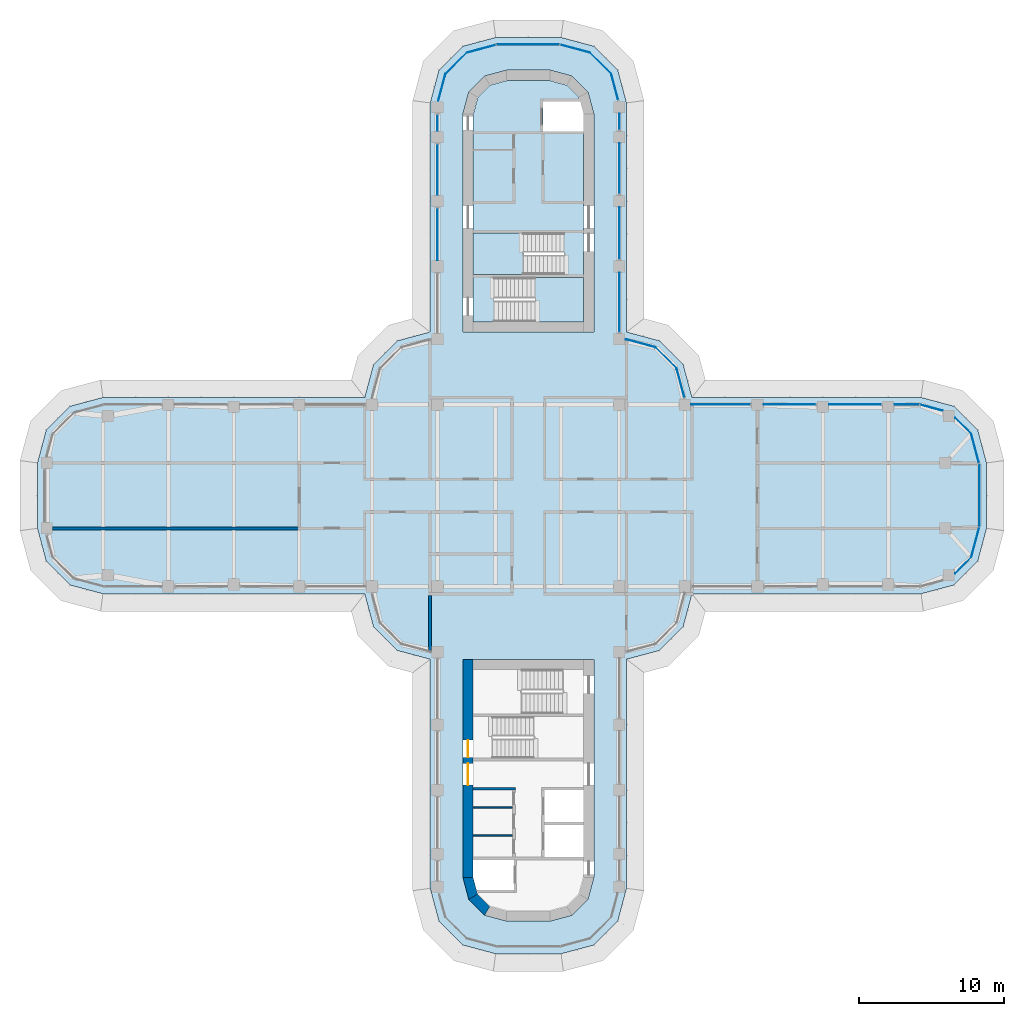
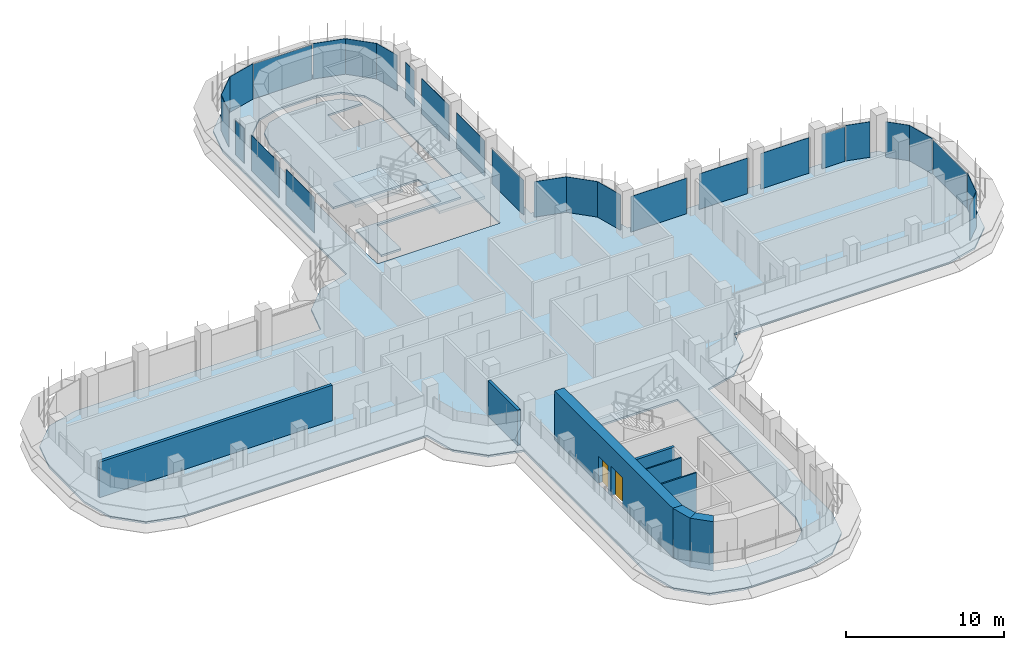
# One storey, part 12 of 19: 27 plates, 8 walls, 4 slabs, 2 doors, 2 openings, 21 elements without a shape of their own.
"""IFC4 building model written with IfcOpenShell, lengths in metres."""

from ifc_helpers import new_model, si_unit, direction, frame, frame_2d, origin, place, context, subcontext, project, spatial, polyline, rectangle, outline, extrude, source, transform, mapped, material, layer, layer_set, type_object, element, fill, aggregate, save


model = new_model("IFC4")

# Units and contexts
model_context = context("Model", 3, precision=1e-05, world=origin(), true_north=direction((0.0, 1.0)))
body_context = subcontext(model_context, "Body", "Model", "MODEL_VIEW")
ifc_project = project(units=[si_unit("LENGTHUNIT", "METRE"), si_unit("AREAUNIT", "SQUARE_METRE"), si_unit("VOLUMEUNIT", "CUBIC_METRE"), si_unit("PLANEANGLEUNIT", "RADIAN"), si_unit("MASSUNIT", "GRAM", prefix="KILO")], contexts=[model_context])

# Site, building, storey
site_placement = place(None, origin())
site = spatial("IfcSite", under=ifc_project, at=site_placement, CompositionType="ELEMENT")
building_placement = place(site_placement, origin())
building = spatial("IfcBuilding", under=site, at=building_placement, Name="Zarbagh Exchange Tower", CompositionType="ELEMENT")
storey_placement = place(building_placement, frame((0.0, 0.0, 171.39990234375)))
storey = spatial("IfcBuildingStorey", under=building, at=storey_placement, Name="L41", CompositionType="ELEMENT", Elevation=171.39990234375)

# Slabs
ifc_material_1 = material(Name="Concrete C40/50", Category="concrete")
ifc_layer_1 = layer(ifc_material_1, 0.14990234375)
ifc_layer_set_1 = layer_set([ifc_layer_1], Name="Composite floor slab 150 C40/50")
slab_type_1 = type_object("IfcSlabType", Name="Composite floor slab 150 C40/50", PredefinedType="FLOOR", material=ifc_layer_set_1)
slab_1_placement = place(storey_placement, frame((0.0, 0.0, -0.14990234375)))
element("IfcSlab", 1, at=slab_1_placement, inside=storey, type_object=slab_type_1, Name="S5 composite floor slab", PredefinedType="FLOOR", context=body_context, shape_type="SweptSolid", body=[
    extrude(outline(polyline([(-2.25, -31.5), (-4.5, -30.897216796875), (-6.147216796875, -29.25), (-6.75, -27.0), (-6.75, -11.25), (-9.0, -10.647216796875), (-10.647216796875, -9.0), (-11.25, -6.75), (-29.25, -6.75), (-31.5, -6.147216796875), (-33.147216796875, -4.5), (-33.75, -2.25), (-33.75, 2.25), (-33.147216796875, 4.5), (-31.5, 6.147216796875), (-29.25, 6.75), (-11.25, 6.75), (-10.647216796875, 9.0), (-9.0, 10.647216796875), (-6.75, 11.25), (-6.75, 27.0), (-6.147216796875, 29.25), (-4.5, 30.897216796875), (-2.25, 31.5), (2.25, 31.5), (4.5, 30.897216796875), (6.147216796875, 29.25), (6.75, 27.0), (6.75, 11.25), (9.0, 10.647216796875), (10.647216796875, 9.0), (11.25, 6.75), (27.0, 6.75), (29.25, 6.147216796875), (30.897216796875, 4.5), (31.5, 2.25), (31.5, -2.25), (30.897216796875, -4.5), (29.25, -6.147216796875), (27.0, -6.75), (11.25, -6.75), (10.647216796875, -9.0), (9.0, -10.647216796875), (6.75, -11.25), (6.75, -27.0), (6.147216796875, -29.25), (4.5, -30.897216796875), (2.25, -31.5), (-2.25, -31.5)]), holes=[polyline([(4.5, 11.25), (4.5, 26.25), (4.09814453125, 27.75), (3.0, 28.84814453125), (1.5, 29.25), (-1.5, 29.25), (-3.0, 28.84814453125), (-4.09814453125, 27.75), (-4.5, 26.25), (-4.5, 11.25), (4.5, 11.25)]), polyline([(-1.5, -29.25), (1.5, -29.25), (3.0, -28.84814453125), (4.09814453125, -27.75), (4.5, -26.25), (4.5, -11.25), (-4.5, -11.25), (-4.5, -26.25), (-4.09814453125, -27.75), (-3.0, -28.84814453125), (-1.5, -29.25)])]), origin(), (0.0, 0.0, 1.0), 0.14990234375),
])
ifc_layer_2 = layer(ifc_material_1, 0.14990234375)
ifc_layer_set_2 = layer_set([ifc_layer_2], Name="Core floor slab 150 C40/50")
slab_type_2 = type_object("IfcSlabType", Name="Core floor slab 150 C40/50", PredefinedType="FLOOR", material=ifc_layer_set_2)
slab_2_placement = place(storey_placement, frame((0.0, 0.0, -0.14990234375)))
element("IfcSlab", 2, at=slab_2_placement, inside=storey, type_object=slab_type_2, Name="S17 core N", PredefinedType="FLOOR", context=body_context, shape_type="SweptSolid", body=[
    extrude(outline(polyline([(-3.800048828125, 11.949951171875), (-3.800048828125, 15.199951171875), (2.449951171875, 15.199951171875), (2.449951171875, 18.050048828125), (-3.800048828125, 18.050048828125), (-3.800048828125, 26.15771484375), (-3.470458984375, 27.3876953125), (-2.6376953125, 28.220458984375), (-1.40771484375, 28.550048828125), (1.40771484375, 28.550048828125), (2.6376953125, 28.220458984375), (3.470458984375, 27.3876953125), (3.800048828125, 26.15771484375), (3.800048828125, 26.15771484375), (3.547607421875, 27.10009765625), (1.0, 27.10009765625), (1.0, 25.050048828125), (3.800048828125, 25.050048828125), (3.800048828125, 15.0), (-2.35009765625, 15.0), (-2.35009765625, 11.949951171875), (-3.800048828125, 11.949951171875)])), origin(), (0.0, 0.0, 1.0), 0.14990234375),
])

# Stair, slab
stair_type = type_object("IfcStairType", Name="Exit stair two-flight half-turn", PredefinedType="HALF_TURN_STAIR", material=ifc_material_1)
stair_1_placement = place(storey_placement, origin())
stair_1 = element("IfcStair", 3, at=stair_1_placement, inside=storey, type_object=stair_type, Name="exit stair ST1", PredefinedType="HALF_TURN_STAIR")
ifc_layer_3 = layer(ifc_material_1, 0.199951171875)
ifc_layer_set_3 = layer_set([ifc_layer_3], Name="Stair landing 200 mm")
slab_type_3 = type_object("IfcSlabType", Name="Stair landing 200 mm", PredefinedType="LANDING", material=ifc_layer_set_3)
slab_3_placement = place(storey_placement, frame((0.0, 0.0, 1.7001953125)))
slab_3 = element("IfcSlab", 4, at=slab_3_placement, type_object=slab_type_3, Name="ST1 landing 1", PredefinedType="LANDING", context=body_context, shape_type="SweptSolid", body=[
    extrude(outline(polyline([(-0.35009765625, 18.050048828125), (-3.800048828125, 18.050048828125), (-3.800048828125, 15.199951171875), (-0.35009765625, 15.199951171875), (-0.35009765625, 18.050048828125)])), origin(), (0.0, 0.0, 1.0), 0.199951171875),
])
aggregate(stair_1, [slab_3])

stair_2_placement = place(storey_placement, origin())
stair_2 = element("IfcStair", 5, at=stair_2_placement, inside=storey, type_object=stair_type, Name="exit stair ST2", PredefinedType="HALF_TURN_STAIR")
slab_4_placement = place(storey_placement, frame((0.0, 0.0, 1.7001953125)))
slab_4 = element("IfcSlab", 6, at=slab_4_placement, type_object=slab_type_3, Name="ST2 landing 1", PredefinedType="LANDING", context=body_context, shape_type="SweptSolid", body=[
    extrude(outline(polyline([(0.449951171875, 11.949951171875), (3.800048828125, 11.949951171875), (3.800048828125, 15.0), (0.449951171875, 15.0), (0.449951171875, 11.949951171875)])), origin(), (0.0, 0.0, 1.0), 0.199951171875),
])
aggregate(stair_2, [slab_4])

# Curtain wall, plate
ifc_material_2 = material(Name="Anodised aluminium frame and glazing", Category="aluminium")
curtain_wall_type = type_object("IfcCurtainWallType", Name="CWB Ribbon glazing, upper zones", PredefinedType="NOTDEFINED", material=ifc_material_2)
curtain_wall_1_placement = place(storey_placement, origin())
curtain_wall_1 = element("IfcCurtainWall", 7, at=curtain_wall_1_placement, inside=storey, type_object=curtain_wall_type, Name="CWB18 curtain wall", PredefinedType="NOTDEFINED")
ifc_material_3 = material(Name="Low-e double glazed unit, 6+12+6 mm")
ifc_layer_4 = layer(ifc_material_3, 0.031982421875)
ifc_layer_set_4 = layer_set([ifc_layer_4], Name="PAB Glazing panel, Low-e double glazed unit, 6+12+6 mm")
plate_type = type_object("IfcPlateType", Name="PAB Glazing panel, Low-e double glazed unit, 6+12+6 mm", PredefinedType="CURTAIN_PANEL", material=ifc_layer_set_4)
shared_shape_1 = source(origin(), body_context, "Body", "SweptSolid", [
    extrude(outline(polyline([(0.0, -0.01611328125), (2.061279296875, -0.01611328125), (2.061279296875, 0.01611328125), (0.0, 0.01611328125), (0.0, -0.01611328125)])), origin(), (0.0, 0.0, 1.0), 2.75),
])
placement = place(storey_placement, origin())
plate_1 = element("IfcPlate", 8, at=placement, type_object=plate_type, Name="CWB18 glazing panel 1.1", PredefinedType="CURTAIN_PANEL", context=body_context, shape_type="MappedRepresentation", body=[
    mapped(shared_shape_1, transform((10.19873046875, 8.7412109375, 0.0), x_axis=(-0.707106781187, 0.707106781187, 0.0), y_axis=(-0.707106781187, -0.707106781187, 0.0), z_axis=(0.0, 0.0, 1.0))),
])
aggregate(curtain_wall_1, [plate_1])

curtain_wall_2_placement = place(storey_placement, origin())
curtain_wall_2 = element("IfcCurtainWall", 9, at=curtain_wall_2_placement, inside=storey, type_object=curtain_wall_type, Name="CWB22 curtain wall", PredefinedType="NOTDEFINED")
plate_2 = element("IfcPlate", 10, at=placement, type_object=plate_type, Name="CWB22 glazing panel 1.1", PredefinedType="CURTAIN_PANEL", context=body_context, shape_type="MappedRepresentation", body=[
    mapped(shared_shape_1, transform((5.69873046875, 28.9912109375, 0.0), x_axis=(-0.707106781187, 0.707106781187, 0.0), y_axis=(-0.707106781187, -0.707106781187, 0.0), z_axis=(0.0, 0.0, 1.0))),
])
aggregate(curtain_wall_2, [plate_2])

curtain_wall_3_placement = place(storey_placement, origin())
curtain_wall_3 = element("IfcCurtainWall", 11, at=curtain_wall_3_placement, inside=storey, type_object=curtain_wall_type, Name="CWB26 curtain wall", PredefinedType="NOTDEFINED")
plate_3 = element("IfcPlate", 12, at=placement, type_object=plate_type, Name="CWB26 glazing panel 1.1", PredefinedType="CURTAIN_PANEL", context=body_context, shape_type="MappedRepresentation", body=[
    mapped(shared_shape_1, transform((-4.2412109375, 30.44873046875, 0.0), x_axis=(-0.707106781187, -0.707106781187, 0.0), y_axis=(0.707106781187, -0.707106781187, 0.0), z_axis=(0.0, 0.0, 1.0))),
])
aggregate(curtain_wall_3, [plate_3])

curtain_wall_4_placement = place(storey_placement, origin())
curtain_wall_4 = element("IfcCurtainWall", 13, at=curtain_wall_4_placement, inside=storey, type_object=curtain_wall_type, Name="CWB11 curtain wall", PredefinedType="NOTDEFINED")
shared_shape_2 = source(origin(), body_context, "Body", "SweptSolid", [
    extrude(outline(polyline([(0.0, -0.01611328125), (2.129638671875, -0.01611328125), (2.129638671875, 0.01611328125), (0.0, 0.01611328125), (0.0, -0.01611328125)])), origin(), (0.0, 0.0, 1.0), 2.75),
])
plate_4 = element("IfcPlate", 14, at=placement, type_object=plate_type, Name="CWB11 glazing panel 1.1", PredefinedType="CURTAIN_PANEL", context=body_context, shape_type="MappedRepresentation", body=[
    mapped(shared_shape_2, transform((30.44873046875, -4.2412109375, 0.0), x_axis=(0.258824779902, 0.965924289636, 0.0), y_axis=(-0.965924289636, 0.258824779902, 0.0), z_axis=(0.0, 0.0, 1.0))),
])
aggregate(curtain_wall_4, [plate_4])

curtain_wall_5_placement = place(storey_placement, origin())
curtain_wall_5 = element("IfcCurtainWall", 15, at=curtain_wall_5_placement, inside=storey, type_object=curtain_wall_type, Name="CWB23 curtain wall", PredefinedType="NOTDEFINED")
plate_5 = element("IfcPlate", 16, at=placement, type_object=plate_type, Name="CWB23 glazing panel 1.1", PredefinedType="CURTAIN_PANEL", context=body_context, shape_type="MappedRepresentation", body=[
    mapped(shared_shape_2, transform((4.2412109375, 30.44873046875, 0.0), x_axis=(-0.965924289636, 0.258824779902, 0.0), y_axis=(-0.258824779902, -0.965924289636, 0.0), z_axis=(0.0, 0.0, 1.0))),
])
aggregate(curtain_wall_5, [plate_5])

curtain_wall_6_placement = place(storey_placement, origin())
curtain_wall_6 = element("IfcCurtainWall", 17, at=curtain_wall_6_placement, inside=storey, type_object=curtain_wall_type, Name="CWB20 curtain wall", PredefinedType="NOTDEFINED")
shared_shape_3 = source(origin(), body_context, "Body", "SweptSolid", [
    extrude(outline(polyline([(0.0, -0.01611328125), (3.4599609375, -0.01611328125), (3.4599609375, 0.01611328125), (0.0, 0.01611328125), (0.0, -0.01611328125)])), origin(), (0.0, 0.0, 1.0), 2.75),
])
plate_6 = element("IfcPlate", 18, at=placement, type_object=plate_type, Name="CWB20 glazing panel 3.1", PredefinedType="CURTAIN_PANEL", context=body_context, shape_type="MappedRepresentation", body=[
    mapped(shared_shape_3, transform((6.25, 20.75, 0.0), x_axis=(0.0, 1.0, 0.0), y_axis=(-1.0, 0.0, 0.0), z_axis=(0.0, 0.0, 1.0))),
])

curtain_wall_7_placement = place(storey_placement, origin())
curtain_wall_7 = element("IfcCurtainWall", 19, at=curtain_wall_7_placement, inside=storey, type_object=curtain_wall_type, Name="CWB28 curtain wall", PredefinedType="NOTDEFINED")
plate_7 = element("IfcPlate", 20, at=placement, type_object=plate_type, Name="CWB28 glazing panel 2.1", PredefinedType="CURTAIN_PANEL", context=body_context, shape_type="MappedRepresentation", body=[
    mapped(shared_shape_3, transform((-6.25, 24.14990234375, 0.0), x_axis=(0.0, -1.0, 0.0), y_axis=(1.0, 0.0, 0.0), z_axis=(0.0, 0.0, 1.0))),
])

# Curtain wall, plates
curtain_wall_8_placement = place(storey_placement, origin())
curtain_wall_8 = element("IfcCurtainWall", 21, at=curtain_wall_8_placement, inside=storey, type_object=curtain_wall_type, Name="CWB16 curtain wall", PredefinedType="NOTDEFINED")
shared_shape_4 = source(origin(), body_context, "Body", "SweptSolid", [
    extrude(outline(polyline([(0.0, -0.01611328125), (3.56005859375, -0.01611328125), (3.56005859375, 0.01611328125), (0.0, 0.01611328125), (0.0, -0.01611328125)])), origin(), (0.0, 0.0, 1.0), 2.75),
])
plate_8 = element("IfcPlate", 22, at=placement, type_object=plate_type, Name="CWB16 glazing panel 2.1", PredefinedType="CURTAIN_PANEL", context=body_context, shape_type="MappedRepresentation", body=[
    mapped(shared_shape_4, transform((24.25, 6.25, 0.0), x_axis=(-1.0, 0.0, 0.0), y_axis=(0.0, -1.0, 0.0), z_axis=(0.0, 0.0, 1.0))),
])
plate_9 = element("IfcPlate", 23, at=placement, type_object=plate_type, Name="CWB16 glazing panel 3.1", PredefinedType="CURTAIN_PANEL", context=body_context, shape_type="MappedRepresentation", body=[
    mapped(shared_shape_4, transform((19.75, 6.25, 0.0), x_axis=(-1.0, 0.0, 0.0), y_axis=(0.0, -1.0, 0.0), z_axis=(0.0, 0.0, 1.0))),
])

# Plate
plate_10 = element("IfcPlate", 24, at=placement, type_object=plate_type, Name="CWB20 glazing panel 2.1", PredefinedType="CURTAIN_PANEL", context=body_context, shape_type="MappedRepresentation", body=[
    mapped(shared_shape_4, transform((6.25, 16.25, 0.0), x_axis=(0.0, 1.0, 0.0), y_axis=(-1.0, 0.0, 0.0), z_axis=(0.0, 0.0, 1.0))),
])

plate_11 = element("IfcPlate", 25, at=placement, type_object=plate_type, Name="CWB28 glazing panel 3.1", PredefinedType="CURTAIN_PANEL", context=body_context, shape_type="MappedRepresentation", body=[
    mapped(shared_shape_4, transform((-6.25, 19.75, 0.0), x_axis=(0.0, -1.0, 0.0), y_axis=(1.0, 0.0, 0.0), z_axis=(0.0, 0.0, 1.0))),
])

shared_shape_5 = source(origin(), body_context, "Body", "SweptSolid", [
    extrude(outline(polyline([(0.0, -0.01611328125), (4.06005859375, -0.01611328125), (4.06005859375, 0.01611328125), (0.0, 0.01611328125), (0.0, -0.01611328125)])), origin(), (0.0, 0.0, 1.0), 2.75),
])
plate_12 = element("IfcPlate", 26, at=placement, type_object=plate_type, Name="CWB16 glazing panel 4.1", PredefinedType="CURTAIN_PANEL", context=body_context, shape_type="MappedRepresentation", body=[
    mapped(shared_shape_5, transform((15.25, 6.25, 0.0), x_axis=(-1.0, 0.0, 0.0), y_axis=(0.0, -1.0, 0.0), z_axis=(0.0, 0.0, 1.0))),
])

# Curtain wall, plate
curtain_wall_9_placement = place(storey_placement, origin())
curtain_wall_9 = element("IfcCurtainWall", 27, at=curtain_wall_9_placement, inside=storey, type_object=curtain_wall_type, Name="CWB17 curtain wall", PredefinedType="NOTDEFINED")
shared_shape_6 = source(origin(), body_context, "Body", "SweptSolid", [
    extrude(outline(polyline([(0.0, -0.01611328125), (2.063720703125, -0.01611328125), (2.063720703125, 0.01611328125), (0.0, 0.01611328125), (0.0, -0.01611328125)])), origin(), (0.0, 0.0, 1.0), 2.75),
])
plate_13 = element("IfcPlate", 28, at=placement, type_object=plate_type, Name="CWB17 glazing panel 1.1", PredefinedType="CURTAIN_PANEL", context=body_context, shape_type="MappedRepresentation", body=[
    mapped(shared_shape_6, transform((10.73291015625, 6.748046875, 0.0), x_axis=(-0.258824779902, 0.965924289636, 0.0), y_axis=(-0.965924289636, -0.258824779902, 0.0), z_axis=(0.0, 0.0, 1.0))),
])
aggregate(curtain_wall_9, [plate_13])

curtain_wall_10_placement = place(storey_placement, origin())
curtain_wall_10 = element("IfcCurtainWall", 29, at=curtain_wall_10_placement, inside=storey, type_object=curtain_wall_type, Name="CWB19 curtain wall", PredefinedType="NOTDEFINED")
shared_shape_7 = source(origin(), body_context, "Body", "SweptSolid", [
    extrude(outline(polyline([(0.0, -0.01611328125), (2.12353515625, -0.01611328125), (2.12353515625, 0.01611328125), (0.0, 0.01611328125), (0.0, -0.01611328125)])), origin(), (0.0, 0.0, 1.0), 2.75),
])
plate_14 = element("IfcPlate", 30, at=placement, type_object=plate_type, Name="CWB19 glazing panel 1.1", PredefinedType="CURTAIN_PANEL", context=body_context, shape_type="MappedRepresentation", body=[
    mapped(shared_shape_7, transform((8.7412109375, 10.19873046875, 0.0), x_axis=(-0.965924289636, 0.258824779902, 0.0), y_axis=(-0.258824779902, -0.965924289636, 0.0), z_axis=(0.0, 0.0, 1.0))),
])
aggregate(curtain_wall_10, [plate_14])

# Plate
shared_shape_8 = source(origin(), body_context, "Body", "SweptSolid", [
    extrude(outline(polyline([(0.0, -0.01611328125), (4.06005859375, -0.01611328125), (4.06005859375, 0.01611328125), (0.0, 0.01611328125), (0.0, -0.01611328125)])), origin(), (0.0, 0.0, 1.0), 2.68994140625),
])
plate_15 = element("IfcPlate", 31, at=placement, type_object=plate_type, Name="CWB20 glazing panel 1.1", PredefinedType="CURTAIN_PANEL", context=body_context, shape_type="MappedRepresentation", body=[
    mapped(shared_shape_8, transform((6.25, 11.25, 0.0), x_axis=(0.0, 1.0, 0.0), y_axis=(-1.0, 0.0, 0.0), z_axis=(0.0, 0.0, 1.0))),
])

# Curtain wall, plate
curtain_wall_11_placement = place(storey_placement, origin())
curtain_wall_11 = element("IfcCurtainWall", 32, at=curtain_wall_11_placement, inside=storey, type_object=curtain_wall_type, Name="CWB10 curtain wall", PredefinedType="NOTDEFINED")
shared_shape_9 = source(origin(), body_context, "Body", "SweptSolid", [
    extrude(outline(polyline([(0.0, -0.01611328125), (1.556884765625, -0.01611328125), (1.556884765625, 0.01611328125), (0.0, 0.01611328125), (0.0, -0.01611328125)])), origin(), (0.0, 0.0, 1.0), 2.75),
])
plate_16 = element("IfcPlate", 33, at=placement, type_object=plate_type, Name="CWB10 glazing panel 1.1", PredefinedType="CURTAIN_PANEL", context=body_context, shape_type="MappedRepresentation", body=[
    mapped(shared_shape_9, transform((29.347900390625, -5.342041015625, 0.0), x_axis=(0.707106781187, 0.707106781187, 0.0), y_axis=(-0.707106781187, 0.707106781187, 0.0), z_axis=(0.0, 0.0, 1.0))),
])
aggregate(curtain_wall_11, [plate_16])

curtain_wall_12_placement = place(storey_placement, origin())
curtain_wall_12 = element("IfcCurtainWall", 34, at=curtain_wall_12_placement, inside=storey, type_object=curtain_wall_type, Name="CWB14 curtain wall", PredefinedType="NOTDEFINED")
plate_17 = element("IfcPlate", 35, at=placement, type_object=plate_type, Name="CWB14 glazing panel 1.1", PredefinedType="CURTAIN_PANEL", context=body_context, shape_type="MappedRepresentation", body=[
    mapped(shared_shape_9, transform((30.44873046875, 4.2412109375, 0.0), x_axis=(-0.707106781187, 0.707106781187, 0.0), y_axis=(-0.707106781187, -0.707106781187, 0.0), z_axis=(0.0, 0.0, 1.0))),
])
aggregate(curtain_wall_12, [plate_17])

curtain_wall_13_placement = place(storey_placement, origin())
curtain_wall_13 = element("IfcCurtainWall", 36, at=curtain_wall_13_placement, inside=storey, type_object=curtain_wall_type, Name="CWB12 curtain wall", PredefinedType="NOTDEFINED")
shared_shape_10 = source(origin(), body_context, "Body", "SweptSolid", [
    extrude(outline(polyline([(0.0, -0.01611328125), (4.308349609375, -0.01611328125), (4.308349609375, 0.01611328125), (0.0, 0.01611328125), (0.0, -0.01611328125)])), origin(), (0.0, 0.0, 1.0), 2.68994140625),
])
plate_18 = element("IfcPlate", 37, at=placement, type_object=plate_type, Name="CWB12 glazing panel 1.1", PredefinedType="CURTAIN_PANEL", context=body_context, shape_type="MappedRepresentation", body=[
    mapped(shared_shape_10, transform((31.0, -2.124267578125, 0.0), x_axis=(0.0, 1.0, 0.0), y_axis=(-1.0, 0.0, 0.0), z_axis=(0.0, 0.0, 1.0))),
])
aggregate(curtain_wall_13, [plate_18])

curtain_wall_14_placement = place(storey_placement, origin())
curtain_wall_14 = element("IfcCurtainWall", 38, at=curtain_wall_14_placement, inside=storey, type_object=curtain_wall_type, Name="CWB24 curtain wall", PredefinedType="NOTDEFINED")
plate_19 = element("IfcPlate", 39, at=placement, type_object=plate_type, Name="CWB24 glazing panel 1.1", PredefinedType="CURTAIN_PANEL", context=body_context, shape_type="MappedRepresentation", body=[
    mapped(shared_shape_10, transform((2.124267578125, 31.0, 0.0), x_axis=(-1.0, 0.0, 0.0), y_axis=(0.0, -1.0, 0.0), z_axis=(0.0, 0.0, 1.0))),
])
aggregate(curtain_wall_14, [plate_19])

curtain_wall_15_placement = place(storey_placement, origin())
curtain_wall_15 = element("IfcCurtainWall", 40, at=curtain_wall_15_placement, inside=storey, type_object=curtain_wall_type, Name="CWB13 curtain wall", PredefinedType="NOTDEFINED")
shared_shape_11 = source(origin(), body_context, "Body", "SweptSolid", [
    extrude(outline(polyline([(0.0, -0.01611328125), (2.069580078125, -0.01611328125), (2.069580078125, 0.01611328125), (0.0, 0.01611328125), (0.0, -0.01611328125)])), origin(), (0.0, 0.0, 1.0), 2.75),
])
plate_20 = element("IfcPlate", 41, at=placement, type_object=plate_type, Name="CWB13 glazing panel 1.1", PredefinedType="CURTAIN_PANEL", context=body_context, shape_type="MappedRepresentation", body=[
    mapped(shared_shape_11, transform((30.984375, 2.2421875, 0.0), x_axis=(-0.258824779902, 0.965924289636, 0.0), y_axis=(-0.965924289636, -0.258824779902, 0.0), z_axis=(0.0, 0.0, 1.0))),
])
aggregate(curtain_wall_15, [plate_20])

curtain_wall_16_placement = place(storey_placement, origin())
curtain_wall_16 = element("IfcCurtainWall", 42, at=curtain_wall_16_placement, inside=storey, type_object=curtain_wall_type, Name="CWB25 curtain wall", PredefinedType="NOTDEFINED")
plate_21 = element("IfcPlate", 43, at=placement, type_object=plate_type, Name="CWB25 glazing panel 1.1", PredefinedType="CURTAIN_PANEL", context=body_context, shape_type="MappedRepresentation", body=[
    mapped(shared_shape_11, transform((-2.2421875, 30.984375, 0.0), x_axis=(-0.965924289636, -0.258824779902, 0.0), y_axis=(0.258824779902, -0.965924289636, 0.0), z_axis=(0.0, 0.0, 1.0))),
])
aggregate(curtain_wall_16, [plate_21])

curtain_wall_17_placement = place(storey_placement, origin())
curtain_wall_17 = element("IfcCurtainWall", 44, at=curtain_wall_17_placement, inside=storey, type_object=curtain_wall_type, Name="CWB15 curtain wall", PredefinedType="NOTDEFINED")
shared_shape_12 = source(origin(), body_context, "Body", "SweptSolid", [
    extrude(outline(polyline([(0.0, -0.01611328125), (1.587890625, -0.01611328125), (1.587890625, 0.01611328125), (0.0, 0.01611328125), (0.0, -0.01611328125)])), origin(), (0.0, 0.0, 1.0), 2.75),
])
plate_22 = element("IfcPlate", 45, at=placement, type_object=plate_type, Name="CWB15 glazing panel 1.1", PredefinedType="CURTAIN_PANEL", context=body_context, shape_type="MappedRepresentation", body=[
    mapped(shared_shape_12, transform((28.468017578125, 5.839111328125, 0.0), x_axis=(-0.965924289636, 0.258824779902, 0.0), y_axis=(-0.258824779902, -0.965924289636, 0.0), z_axis=(0.0, 0.0, 1.0))),
])
aggregate(curtain_wall_17, [plate_22])

# Plate
shared_shape_13 = source(origin(), body_context, "Body", "SweptSolid", [
    extrude(outline(polyline([(0.0, -0.01611328125), (1.68408203125, -0.01611328125), (1.68408203125, 0.01611328125), (0.0, 0.01611328125), (0.0, -0.01611328125)])), origin(), (0.0, 0.0, 1.0), 2.68994140625),
])
plate_23 = element("IfcPlate", 46, at=placement, type_object=plate_type, Name="CWB16 glazing panel 1.1", PredefinedType="CURTAIN_PANEL", context=body_context, shape_type="MappedRepresentation", body=[
    mapped(shared_shape_13, transform((26.874267578125, 6.25, 0.0), x_axis=(-1.0, 0.0, 0.0), y_axis=(0.0, -1.0, 0.0), z_axis=(0.0, 0.0, 1.0))),
])

aggregate(curtain_wall_8, [plate_23, plate_8, plate_9, plate_12])

shared_shape_14 = source(origin(), body_context, "Body", "SweptSolid", [
    extrude(outline(polyline([(0.0, -0.01611328125), (1.110107421875, -0.01611328125), (1.110107421875, 0.01611328125), (0.0, 0.01611328125), (0.0, -0.01611328125)])), origin(), (0.0, 0.0, 1.0), 2.75),
])
plate_24 = element("IfcPlate", 47, at=placement, type_object=plate_type, Name="CWB20 glazing panel 4.1", PredefinedType="CURTAIN_PANEL", context=body_context, shape_type="MappedRepresentation", body=[
    mapped(shared_shape_14, transform((6.25, 25.150146484375, 0.0), x_axis=(0.0, 1.0, 0.0), y_axis=(-1.0, 0.0, 0.0), z_axis=(0.0, 0.0, 1.0))),
])

aggregate(curtain_wall_6, [plate_15, plate_10, plate_6, plate_24])

# Curtain wall, plate
curtain_wall_18_placement = place(storey_placement, origin())
curtain_wall_18 = element("IfcCurtainWall", 48, at=curtain_wall_18_placement, inside=storey, type_object=curtain_wall_type, Name="CWB21 curtain wall", PredefinedType="NOTDEFINED")
shared_shape_15 = source(origin(), body_context, "Body", "SweptSolid", [
    extrude(outline(polyline([(0.0, -0.01611328125), (1.8564453125, -0.01611328125), (1.8564453125, 0.01611328125), (0.0, 0.01611328125), (0.0, -0.01611328125)])), origin(), (0.0, 0.0, 1.0), 2.75),
])
plate_25 = element("IfcPlate", 49, at=placement, type_object=plate_type, Name="CWB21 glazing panel 1.1", PredefinedType="CURTAIN_PANEL", context=body_context, shape_type="MappedRepresentation", body=[
    mapped(shared_shape_15, transform((6.17919921875, 27.197998046875, 0.0), x_axis=(-0.258824779902, 0.965924289636, 0.0), y_axis=(-0.965924289636, -0.258824779902, 0.0), z_axis=(0.0, 0.0, 1.0))),
])
aggregate(curtain_wall_18, [plate_25])

curtain_wall_19_placement = place(storey_placement, origin())
curtain_wall_19 = element("IfcCurtainWall", 50, at=curtain_wall_19_placement, inside=storey, type_object=curtain_wall_type, Name="CWB27 curtain wall", PredefinedType="NOTDEFINED")
shared_shape_16 = source(origin(), body_context, "Body", "SweptSolid", [
    extrude(outline(polyline([(0.0, -0.01611328125), (1.91650390625, -0.01611328125), (1.91650390625, 0.01611328125), (0.0, 0.01611328125), (0.0, -0.01611328125)])), origin(), (0.0, 0.0, 1.0), 2.75),
])
plate_26 = element("IfcPlate", 51, at=placement, type_object=plate_type, Name="CWB27 glazing panel 1.1", PredefinedType="CURTAIN_PANEL", context=body_context, shape_type="MappedRepresentation", body=[
    mapped(shared_shape_16, transform((-5.69873046875, 28.9912109375, 0.0), x_axis=(-0.258824779902, -0.965924289636, 0.0), y_axis=(0.965924289636, -0.258824779902, 0.0), z_axis=(0.0, 0.0, 1.0))),
])
aggregate(curtain_wall_19, [plate_26])

# Plate
shared_shape_17 = source(origin(), body_context, "Body", "SweptSolid", [
    extrude(outline(polyline([(0.0, -0.01611328125), (1.110107421875, -0.01611328125), (1.110107421875, 0.01611328125), (0.0, 0.01611328125), (0.0, -0.01611328125)])), origin(), (0.0, 0.0, 1.0), 2.68994140625),
])
plate_27 = element("IfcPlate", 52, at=placement, type_object=plate_type, Name="CWB28 glazing panel 1.1", PredefinedType="CURTAIN_PANEL", context=body_context, shape_type="MappedRepresentation", body=[
    mapped(shared_shape_17, transform((-6.25, 26.199951171875, 0.0), x_axis=(0.0, -1.0, 0.0), y_axis=(1.0, 0.0, 0.0), z_axis=(0.0, 0.0, 1.0))),
])

aggregate(curtain_wall_7, [plate_27, plate_7, plate_11])

# Walls
ifc_material_4 = material(Name="Dense blockwork", Category="masonry")
ifc_layer_5 = layer(ifc_material_4, 0.10009765625)
ifc_layer_set_5 = layer_set([ifc_layer_5], Name="Core partition 100 mm blockwork")
wall_type_1 = type_object("IfcWallType", Name="Core partition 100 mm blockwork", PredefinedType="PARTITIONING", material=ifc_layer_set_5)
for number, where, z_axis, x_axis, name in (
    (53, (-1.10009765625, -23.35009765625, 0.0), (0.0, 0.0, 1.0), (-1.0, 0.0, 0.0), "South core partition wall CUT-E-500"),
    (54, (-1.10009765625, -21.449951171875, 0.0), (0.0, 0.0, 1.0), (-1.0, 0.0, 0.0), "South core partition wall CUT-E-690"),
):
    element("IfcWall", number, at=place(storey_placement, frame(where, z_axis=z_axis, x_axis=x_axis)), inside=storey, type_object=wall_type_1, Name=name, PredefinedType="PARTITIONING", context=body_context, shape_type="SweptSolid", body=[
        extrude(rectangle(XDim=2.699951171875, YDim=0.10009765625, at=frame_2d((1.35009765625, 0.0))), origin(), (0.0, 0.0, 1.0), 3.650146484375),
    ])
ifc_material_5 = material(Name="Fire-rated plasterboard partition")
ifc_layer_6 = layer(ifc_material_5, 0.199951171875)
ifc_layer_set_6 = layer_set([ifc_layer_6], Name="RATED PARTITION 200")
wall_type_2 = type_object("IfcWallType", Name="RATED PARTITION 200", PredefinedType="PARTITIONING", material=ifc_layer_set_6)
wall_1_placement = place(storey_placement, frame((-6.75, -10.6298828125, 0.0), z_axis=(0.0, 0.0, 1.0), x_axis=(0.0, 1.0, 0.0)))
element("IfcWall", 55, at=wall_1_placement, inside=storey, type_object=wall_type_2, Name="Partition W-1821", PredefinedType="PARTITIONING", context=body_context, shape_type="SweptSolid", body=[
    extrude(rectangle(XDim=3.77978515625, YDim=0.199951171875, at=frame_2d((1.889892578125, 0.0))), origin(), (0.0, 0.0, 1.0), 2.75),
])
wall_2_placement = place(storey_placement, frame((-32.7099609375, -2.25, 0.0), z_axis=(0.0, 0.0, 1.0), x_axis=(1.0, 0.0, 0.0)))
element("IfcWall", 56, at=wall_2_placement, inside=storey, type_object=wall_type_2, Name="Partition W-1846", PredefinedType="PARTITIONING", context=body_context, shape_type="SweptSolid", body=[
    extrude(rectangle(XDim=17.06005859375, YDim=0.199951171875, at=frame_2d((8.530029296875, 0.0))), origin(), (0.0, 0.0, 1.0), 2.75),
])
ifc_material_6 = material(Name="Concrete C50/60", Category="concrete")
ifc_layer_7 = layer(ifc_material_6, 0.699951171875)
ifc_layer_set_7 = layer_set([ifc_layer_7], Name="RC core corner wall 700 C50/60")
wall_type_3 = type_object("IfcWallType", Name="RC core corner wall 700 C50/60", PredefinedType="SHEAR", material=ifc_layer_set_7)
wall_3_placement = place(storey_placement, origin())
element("IfcWall", 57, at=wall_3_placement, inside=storey, type_object=wall_type_3, Name="CW6 core S corner W", PredefinedType="SHEAR", context=body_context, shape_type="SweptSolid", body=[
    extrude(outline(polyline([(-4.5, -26.25), (-4.09814453125, -27.75), (-3.491943359375, -27.39990234375), (-3.800048828125, -26.25), (-4.5, -26.25)])), origin(), (0.0, 0.0, 1.0), 3.800048828125),
])
wall_4_placement = place(storey_placement, origin())
element("IfcWall", 58, at=wall_4_placement, inside=storey, type_object=wall_type_3, Name="CW6 core S corner W", PredefinedType="SHEAR", context=body_context, shape_type="SweptSolid", body=[
    extrude(outline(polyline([(-4.09814453125, -27.75), (-3.0, -28.84814453125), (-2.64990234375, -28.241943359375), (-3.491943359375, -27.39990234375), (-4.09814453125, -27.75)])), origin(), (0.0, 0.0, 1.0), 3.800048828125),
])

# Wall, openings, doors
ifc_layer_8 = layer(ifc_material_6, 0.699951171875)
ifc_layer_set_8 = layer_set([ifc_layer_8], Name="RC core wall 700 C50/60")
wall_type_4 = type_object("IfcWallType", Name="RC core wall 700 C50/60", PredefinedType="SHEAR", material=ifc_layer_set_8)
wall_5_placement = place(storey_placement, frame((-4.14990234375, -11.25, 0.0), z_axis=(0.0, 0.0, 1.0), x_axis=(0.0, -1.0, 0.0)))
wall_5 = element("IfcWall", 59, at=wall_5_placement, inside=storey, type_object=wall_type_4, Name="CW5 core S W", PredefinedType="SHEAR", context=body_context, shape_type="SweptSolid", body=[
    extrude(rectangle(XDim=15.0, YDim=0.699951171875, at=frame_2d((7.5, 0.0))), origin(), (0.0, 0.0, 1.0), 3.800048828125),
])
opening_1_placement = place(wall_5_placement, frame((7.14990234375, 0.0, 0.0)))
opening_1 = element("IfcOpeningElement", 60, at=opening_1_placement, cuts=wall_5, Name="Opening CD1-1500", PredefinedType="OPENING", context=body_context, shape_type="SweptSolid", body=[
    extrude(rectangle(XDim=1.5, YDim=2.300048828125, at=frame_2d((0.75, 1.14990234375))), frame((0.0, 0.35986328125, 0.0), z_axis=(0.0, -1.0, 0.0), x_axis=(1.0, 0.0, 0.0)), (0.0, 0.0, 1.0), 0.719970703125),
])
opening_2_placement = place(wall_5_placement, frame((5.550048828125, 0.0, 0.0)))
opening_2 = element("IfcOpeningElement", 61, at=opening_2_placement, cuts=wall_5, Name="Opening SD1-1200", PredefinedType="OPENING", context=body_context, shape_type="SweptSolid", body=[
    extrude(rectangle(XDim=1.199951171875, YDim=2.10009765625, at=frame_2d((0.60009765625, 1.050048828125))), frame((0.0, 0.35986328125, 0.0), z_axis=(0.0, -1.0, 0.0), x_axis=(1.0, 0.0, 0.0)), (0.0, 0.0, 1.0), 0.719970703125),
])
ifc_material_7 = material(Name="Steel", Category="steel")
door_type_1 = type_object("IfcDoorType", Name="Exit stair door 1200 x 2100", OperationType="NOTDEFINED", PredefinedType="DOOR", material=ifc_material_7)
door_1_placement = place(opening_2_placement, origin())
door_1 = element("IfcDoor", 62, at=door_1_placement, inside=storey, type_object=door_type_1, Name="South core stair door ST1", OperationType="SINGLE_SWING_RIGHT", OverallHeight=2.10009765625, OverallWidth=1.199951171875, PredefinedType="DOOR", context=body_context, shape_type="SweptSolid", body=[
    extrude(rectangle(XDim=1.199951171875, YDim=2.10009765625, at=frame_2d((0.60009765625, 1.050048828125))), frame((0.0, 0.02490234375, 0.0), z_axis=(0.0, -1.0, 0.0), x_axis=(1.0, 0.0, 0.0)), (0.0, 0.0, 1.0), 0.050048828125),
])
fill(opening_2, door_1)
door_type_2 = type_object("IfcDoorType", Name="Lift lobby double door 1500 x 2300", OperationType="NOTDEFINED", PredefinedType="DOOR", material=ifc_material_7)
door_2_placement = place(opening_1_placement, origin())
door_2 = element("IfcDoor", 63, at=door_2_placement, inside=storey, type_object=door_type_2, Name="South core lift lobby door LOBBY-E", OperationType="DOUBLE_DOOR_SINGLE_SWING", OverallHeight=2.300048828125, OverallWidth=1.5, PredefinedType="DOOR", context=body_context, shape_type="SweptSolid", body=[
    extrude(rectangle(XDim=1.5, YDim=2.300048828125, at=frame_2d((0.75, 1.14990234375))), frame((0.0, 0.02490234375, 0.0), z_axis=(0.0, -1.0, 0.0), x_axis=(1.0, 0.0, 0.0)), (0.0, 0.0, 1.0), 0.050048828125),
])
fill(opening_1, door_2)

# Wall
ifc_layer_9 = layer(ifc_material_4, 0.199951171875)
ifc_layer_set_9 = layer_set([ifc_layer_9], Name="Shaft wall 200 mm blockwork")
wall_type_5 = type_object("IfcWallType", Name="Shaft wall 200 mm blockwork", PredefinedType="PARTITIONING", material=ifc_layer_set_9)
wall_6_placement = place(storey_placement, frame((-0.89990234375, -20.14990234375, 0.0), z_axis=(0.0, 0.0, 1.0), x_axis=(-1.0, 0.0, 0.0)))
element("IfcWall", 64, at=wall_6_placement, inside=storey, type_object=wall_type_5, Name="South core shaft wall AB-E", PredefinedType="PARTITIONING", context=body_context, shape_type="SweptSolid", body=[
    extrude(rectangle(XDim=2.900146484375, YDim=0.199951171875, at=frame_2d((1.4501953125, 0.0))), origin(), (0.0, 0.0, 1.0), 3.650146484375),
])

save(model, "model.ifc")
